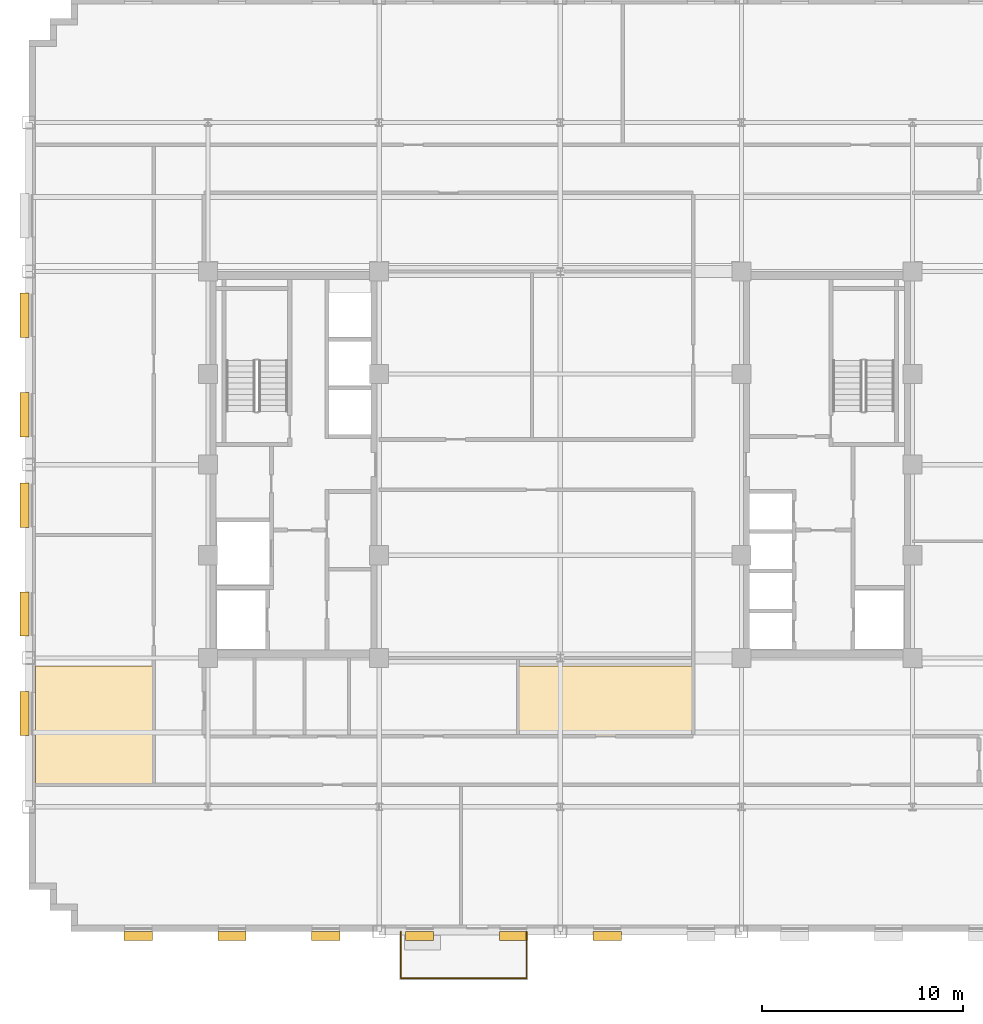
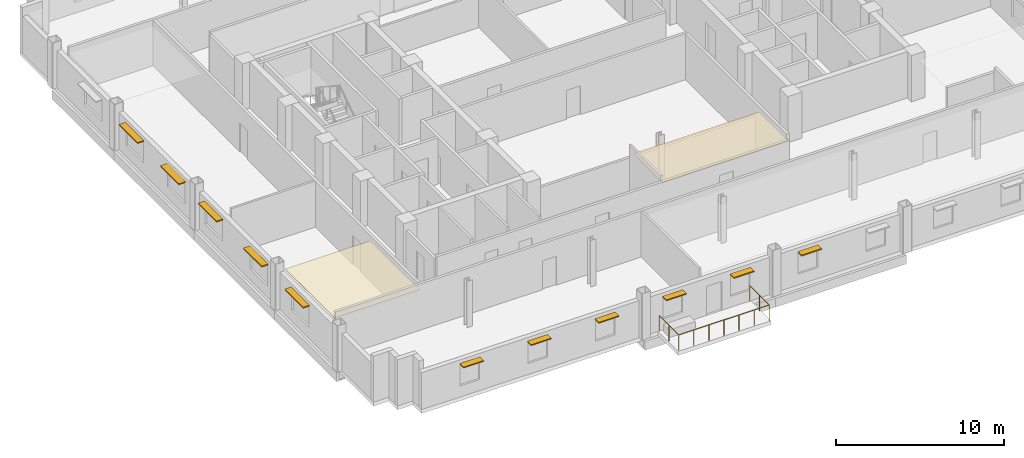
# One storey, part 10 of 14: 11 shading devices, 2 coverings, 1 railing.
"""IFC4 building model written with IfcOpenShell, lengths in metres."""

from ifc_helpers import new_model, si_unit, direction, frame, origin, origin_2d, place, context, subcontext, project, spatial, polyline, rectangle, circle, outline, extrude, source, transform, mapped, material, layer, layer_set, type_object, type_shapes, element, save


model = new_model("IFC4")

# Units and contexts
model_context = context("Model", 3, precision=1e-05, world=origin(), true_north=direction((0.0, 1.0)))
body_context = subcontext(model_context, "Body", "Model", "MODEL_VIEW")
ifc_project = project(units=[si_unit("LENGTHUNIT", "METRE"), si_unit("AREAUNIT", "SQUARE_METRE"), si_unit("VOLUMEUNIT", "CUBIC_METRE"), si_unit("PLANEANGLEUNIT", "RADIAN"), si_unit("MASSUNIT", "GRAM", prefix="KILO")], contexts=[model_context])

# Site, building, storey
site_placement = place(None, origin())
site = spatial("IfcSite", under=ifc_project, at=site_placement, CompositionType="ELEMENT")
building_placement = place(site_placement, origin())
building = spatial("IfcBuilding", under=site, at=building_placement, Name="Nuvemarco Arch Tower", CompositionType="ELEMENT")
storey_placement = place(building_placement, frame((0.0, 0.0, 127.5)))
storey = spatial("IfcBuildingStorey", under=building, at=storey_placement, Name="L33", CompositionType="ELEMENT", Elevation=127.5)

# Coverings
ifc_material_1 = material(Name="Mineral acoustic ceiling tile")
ifc_layer = layer(ifc_material_1, 0.0400390625, Name="COV-ACOUSTIC-CLG")
ifc_layer_set = layer_set([ifc_layer], Name="Mineral acoustic ceiling tile")
covering_type = type_object("IfcCoveringType", Name="COV-ACOUSTIC-CLG", PredefinedType="CEILING", material=ifc_layer_set)
covering_1_placement = place(storey_placement, frame((0.0, 0.0, 2.85009765625)))
element("IfcCovering", 1, at=covering_1_placement, inside=storey, type_object=covering_type, Name="L33 suspended acoustic ceiling 7", PredefinedType="CEILING", context=body_context, shape_type="SweptSolid", body=[
    extrude(outline(polyline([(-20.199951171875, -13.5), (-20.199951171875, -15.89990234375), (-26.080078125, -15.89990234375), (-26.080078125, -10.0), (-20.199951171875, -10.0), (-20.199951171875, -13.5)])), origin(), (0.0, 0.0, 1.0), 0.039794921875),
])
covering_2_placement = place(storey_placement, frame((0.0, 0.0, 2.85009765625)))
element("IfcCovering", 2, at=covering_2_placement, inside=storey, type_object=covering_type, Name="L33 suspended acoustic ceiling 8", PredefinedType="CEILING", context=body_context, shape_type="SweptSolid", body=[
    extrude(outline(polyline([(6.60009765625, -13.5), (-2.10009765625, -13.5), (-2.10009765625, -10.0), (6.60009765625, -10.0), (6.60009765625, -13.5)])), origin(), (0.0, 0.0, 1.0), 0.039794921875),
])

# Railing
ifc_material_2 = material(Name="Dark anodised balustrade steel S355", Category="steel")
railing_type = type_object("IfcRailingType", Name="RL-TERR-GUARD", PredefinedType="BALUSTRADE", material=ifc_material_2)
railing_placement = place(storey_placement, frame((-7.919921875, -23.199951171875, 0.0)))
element("IfcRailing", 3, at=railing_placement, inside=storey, type_object=railing_type, Name="L33 spiral terrace perimeter balustrade guard", PredefinedType="BALUSTRADE", context=body_context, shape_type="SweptSolid", body=[
    extrude(circle(Radius=0.02392578125, at=origin_2d()), frame((0.0, 0.0, 1.1259765625), z_axis=(0.0, -1.0, 0.0), x_axis=(1.0, 0.0, 0.0)), (0.0, 0.0, 1.0), 2.320068359375),
    extrude(circle(Radius=0.02392578125, at=origin_2d()), frame((0.0, -2.320068359375, 1.1259765625), z_axis=(1.0, 0.0, 0.0), x_axis=(0.0, 1.0, 0.0)), (0.0, 0.0, 1.0), 6.239990234375),
    extrude(circle(Radius=0.02392578125, at=origin_2d()), frame((6.239990234375, -2.320068359375, 1.1259765625), z_axis=(0.0, 1.0, 0.0), x_axis=(-1.0, 0.0, 0.0)), (0.0, 0.0, 1.0), 2.320068359375),
    extrude(circle(Radius=0.02099609375, at=origin_2d()), origin(), (0.0, 0.0, 1.0), 1.101806640625),
    extrude(circle(Radius=0.02099609375, at=origin_2d()), frame((0.0, -1.16015625, 0.0)), (0.0, 0.0, 1.0), 1.101806640625),
    extrude(circle(Radius=0.02099609375, at=origin_2d()), frame((0.0, -2.320068359375, 0.0)), (0.0, 0.0, 1.0), 1.101806640625),
    extrude(circle(Radius=0.02099609375, at=origin_2d()), frame((1.0400390625, -2.320068359375, 0.0)), (0.0, 0.0, 1.0), 1.101806640625),
    extrude(circle(Radius=0.02099609375, at=origin_2d()), frame((2.080078125, -2.320068359375, 0.0)), (0.0, 0.0, 1.0), 1.101806640625),
    extrude(circle(Radius=0.02099609375, at=origin_2d()), frame((3.1201171875, -2.320068359375, 0.0)), (0.0, 0.0, 1.0), 1.101806640625),
    extrude(circle(Radius=0.02099609375, at=origin_2d()), frame((4.159912109375, -2.320068359375, 0.0)), (0.0, 0.0, 1.0), 1.101806640625),
    extrude(circle(Radius=0.02099609375, at=origin_2d()), frame((5.199951171875, -2.320068359375, 0.0)), (0.0, 0.0, 1.0), 1.101806640625),
    extrude(circle(Radius=0.02099609375, at=origin_2d()), frame((6.239990234375, -2.320068359375, 0.0)), (0.0, 0.0, 1.0), 1.101806640625),
    extrude(circle(Radius=0.02099609375, at=origin_2d()), frame((6.239990234375, -1.16015625, 0.0)), (0.0, 0.0, 1.0), 1.101806640625),
    extrude(circle(Radius=0.02099609375, at=origin_2d()), frame((6.239990234375, 0.0, 0.0)), (0.0, 0.0, 1.0), 1.101806640625),
])

# Shading devices
ifc_material_3 = material(Name="Anodised aluminium 6063-T6", Category="aluminium")
shading_device_type_1 = type_object("IfcShadingDeviceType", Name="SHD-BRISE-SOLEIL", PredefinedType="USERDEFINED", material=ifc_material_3)
shared_shape_1 = source(origin(), body_context, "Body", "SweptSolid", [
    extrude(rectangle(XDim=2.199951171875, YDim=0.449951171875, at=origin_2d()), origin(), (0.0, 0.0, 1.0), 0.080078125),
])
type_shapes(shading_device_type_1, [shared_shape_1])
for number, where, z_axis, x_axis, name in (
    (4, (-26.614990234375, -12.364990234375, 2.364990234375), (0.0, 0.0, 1.0), (0.0, 1.0, 0.0), "L33 horizontal brise-soleil sunshade"),
    (5, (-26.614990234375, -7.4189453125, 2.364990234375), (0.0, 0.0, 1.0), (0.0, 1.0, 0.0), "L33 horizontal brise-soleil sunshade"),
    (6, (-26.614990234375, -2.02294921875, 2.364990234375), (0.0, 0.0, 1.0), (0.0, 1.0, 0.0), "L33 horizontal brise-soleil sunshade"),
    (7, (-26.614990234375, 2.472900390625, 2.364990234375), (0.0, 0.0, 1.0), (0.0, 1.0, 0.0), "L33 horizontal brise-soleil sunshade"),
    (8, (-26.614990234375, 7.4189453125, 2.364990234375), (0.0, 0.0, 1.0), (0.0, 1.0, 0.0), "L33 horizontal brise-soleil sunshade"),
):
    element("IfcShadingDevice", number, at=place(storey_placement, frame(where, z_axis=z_axis, x_axis=x_axis)), inside=storey, type_object=shading_device_type_1, Name=name, ObjectType="SUNSHADE", PredefinedType="USERDEFINED", context=body_context, shape_type="MappedRepresentation", body=[
        mapped(shared_shape_1, transform((0.0, 0.0, 0.0), scale=1.0)),
    ])
shading_device_type_2 = type_object("IfcShadingDeviceType", Name="SHD-BRISE-NARROW", PredefinedType="USERDEFINED", material=ifc_material_3)
shared_shape_2 = source(origin(), body_context, "Body", "SweptSolid", [
    extrude(rectangle(XDim=1.39990234375, YDim=0.449951171875, at=origin_2d()), origin(), (0.0, 0.0, 1.0), 0.080078125),
])
type_shapes(shading_device_type_2, [shared_shape_2])
for number, where, z_axis, x_axis, name in (
    (9, (-20.969970703125, -23.4150390625, 2.364990234375), (0.0, 0.0, 1.0), (1.0, 0.0, 0.0), "L33 horizontal brise-soleil sunshade"),
    (10, (-16.31005859375, -23.4150390625, 2.364990234375), (0.0, 0.0, 1.0), (1.0, 0.0, 0.0), "L33 horizontal brise-soleil sunshade"),
    (11, (-11.64990234375, -23.4150390625, 2.364990234375), (0.0, 0.0, 1.0), (1.0, 0.0, 0.0), "L33 horizontal brise-soleil sunshade"),
    (12, (-6.989990234375, -23.4150390625, 2.364990234375), (0.0, 0.0, 1.0), (1.0, 0.0, 0.0), "L33 horizontal brise-soleil sunshade"),
    (13, (-2.330078125, -23.4150390625, 2.364990234375), (0.0, 0.0, 1.0), (1.0, 0.0, 0.0), "L33 horizontal brise-soleil sunshade"),
    (14, (2.330078125, -23.4150390625, 2.364990234375), (0.0, 0.0, 1.0), (1.0, 0.0, 0.0), "L33 horizontal brise-soleil sunshade"),
):
    element("IfcShadingDevice", number, at=place(storey_placement, frame(where, z_axis=z_axis, x_axis=x_axis)), inside=storey, type_object=shading_device_type_2, Name=name, ObjectType="SUNSHADE", PredefinedType="USERDEFINED", context=body_context, shape_type="MappedRepresentation", body=[
        mapped(shared_shape_2, transform((0.0, 0.0, 0.0), scale=1.0)),
    ])

save(model, "model.ifc")
